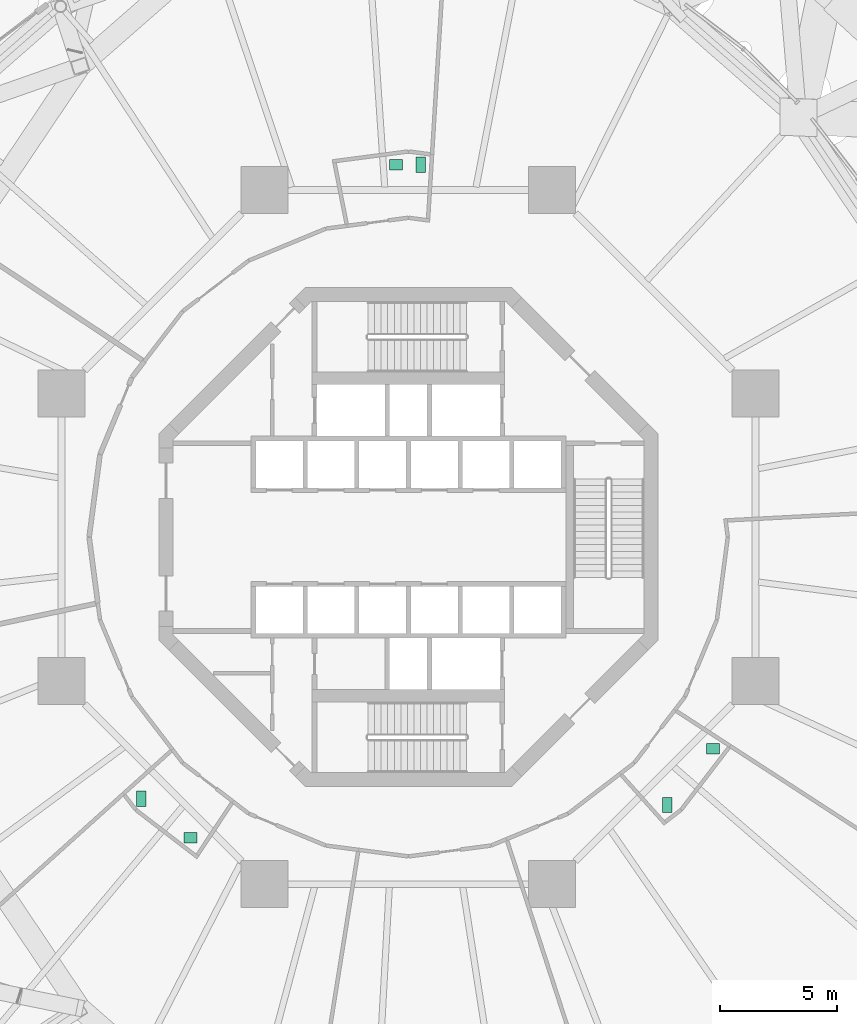
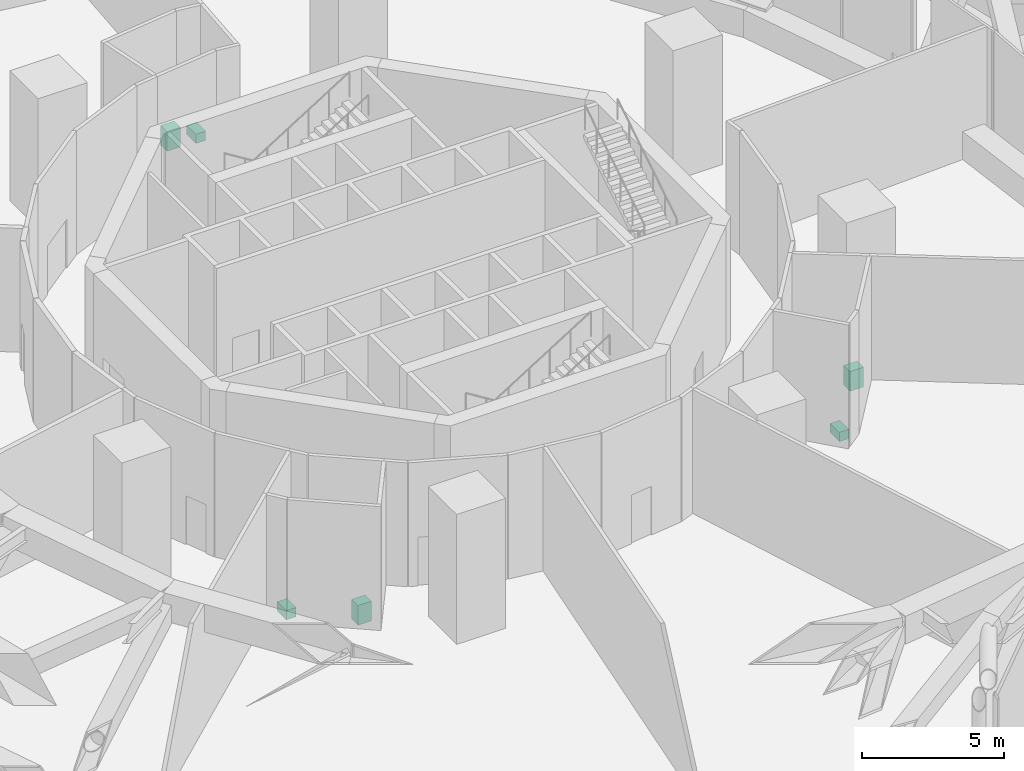
# One storey, part 49 of 49: 6 sanitary terminals.
"""IFC4 building model written with IfcOpenShell, lengths in metres."""

from ifc_helpers import new_model, si_unit, direction, frame, origin, origin_2d, place, context, subcontext, project, spatial, rectangle, extrude, material, type_object, element, save


model = new_model("IFC4")

# Units and contexts
model_context = context("Model", 3, precision=1e-05, world=origin(), true_north=direction((0.0, 1.0)))
body_context = subcontext(model_context, "Body", "Model", "MODEL_VIEW")
ifc_project = project(units=[si_unit("LENGTHUNIT", "METRE"), si_unit("AREAUNIT", "SQUARE_METRE"), si_unit("VOLUMEUNIT", "CUBIC_METRE"), si_unit("PLANEANGLEUNIT", "RADIAN"), si_unit("MASSUNIT", "GRAM", prefix="KILO")], contexts=[model_context])

# Site, building, storey
site_placement = place(None, origin())
site = spatial("IfcSite", under=ifc_project, at=site_placement, CompositionType="ELEMENT")
building_placement = place(site_placement, origin())
building = spatial("IfcBuilding", under=site, at=building_placement, Name="Nagisa Residences", CompositionType="ELEMENT")
storey_placement = place(building_placement, frame((0.0, 0.0, 160.300048828125)))
storey = spatial("IfcBuildingStorey", under=building, at=storey_placement, Name="L40", CompositionType="ELEMENT", Elevation=160.300048828125)

# Sanitary terminals
ifc_material_1 = material(Name="Vitreous china")
sanitary_terminal_type_1 = type_object("IfcSanitaryTerminalType", Name="WC pan", PredefinedType="WCSEAT", material=ifc_material_1)
for number, where, z_axis, x_axis, name in (
    (1, (0.52294921875, 15.85693359375, 0.0), (0.0, 0.0, 1.0), (1.0, 0.0, 0.0), "fix:L40:r1t3p0:wc"),
    (2, (-11.3779296875, -11.14697265625, 0.0), (0.0, 0.0, 1.0), (1.0, 0.0, 0.0), "fix:L40:r4t10p0:wc"),
    (3, (11.028076171875, -11.406005859375, 0.0), (0.0, 0.0, 1.0), (1.0, 0.0, 0.0), "fix:L40:r6t15p0:wc"),
):
    element("IfcSanitaryTerminal", number, at=place(storey_placement, frame(where, z_axis=z_axis, x_axis=x_axis)), inside=storey, type_object=sanitary_terminal_type_1, Name=name, PredefinedType="WCSEAT", context=body_context, shape_type="SweptSolid", body=[
        extrude(rectangle(XDim=0.39990234375, YDim=0.64990234375, at=origin_2d()), origin(), (0.0, 0.0, 1.0), 0.39990234375),
    ])
ifc_material_2 = material(Name="Vitreous china")
sanitary_terminal_type_2 = type_object("IfcSanitaryTerminalType", Name="Wash basin", PredefinedType="WASHHANDBASIN", material=ifc_material_2)
for number, where, z_axis, x_axis, name in (
    (4, (-0.527099609375, 15.85693359375, 0.0), (0.0, 0.0, 1.0), (1.0, 0.0, 0.0), "fix:L40:r1t3p0:basin"),
    (5, (-9.278076171875, -12.797119140625, 0.0), (0.0, 0.0, 1.0), (1.0, 0.0, 0.0), "fix:L40:r4t10p0:basin"),
    (6, (12.97802734375, -9.006103515625, 0.0), (0.0, 0.0, 1.0), (1.0, 0.0, 0.0), "fix:L40:r6t15p0:basin"),
):
    element("IfcSanitaryTerminal", number, at=place(storey_placement, frame(where, z_axis=z_axis, x_axis=x_axis)), inside=storey, type_object=sanitary_terminal_type_2, Name=name, PredefinedType="WASHHANDBASIN", context=body_context, shape_type="SweptSolid", body=[
        extrude(rectangle(XDim=0.550048828125, YDim=0.449951171875, at=origin_2d()), origin(), (0.0, 0.0, 1.0), 0.85009765625),
    ])

save(model, "model.ifc")
